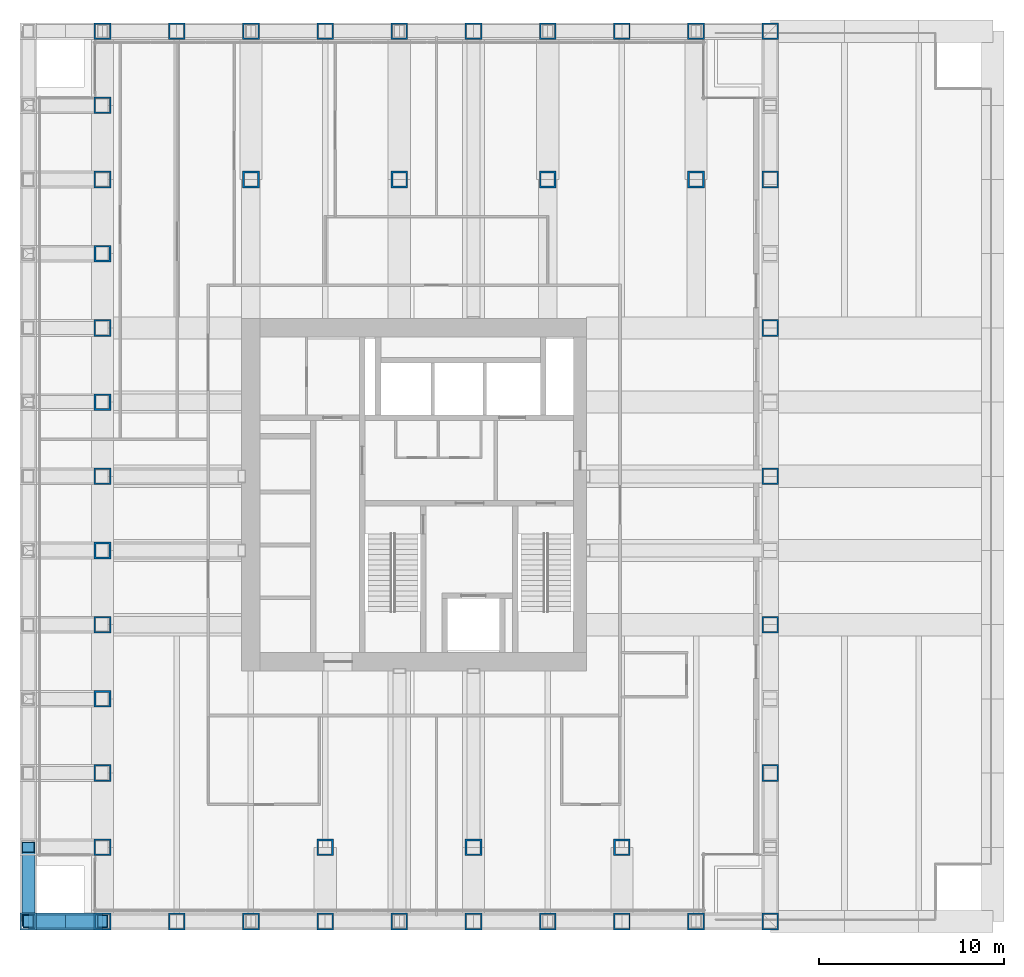
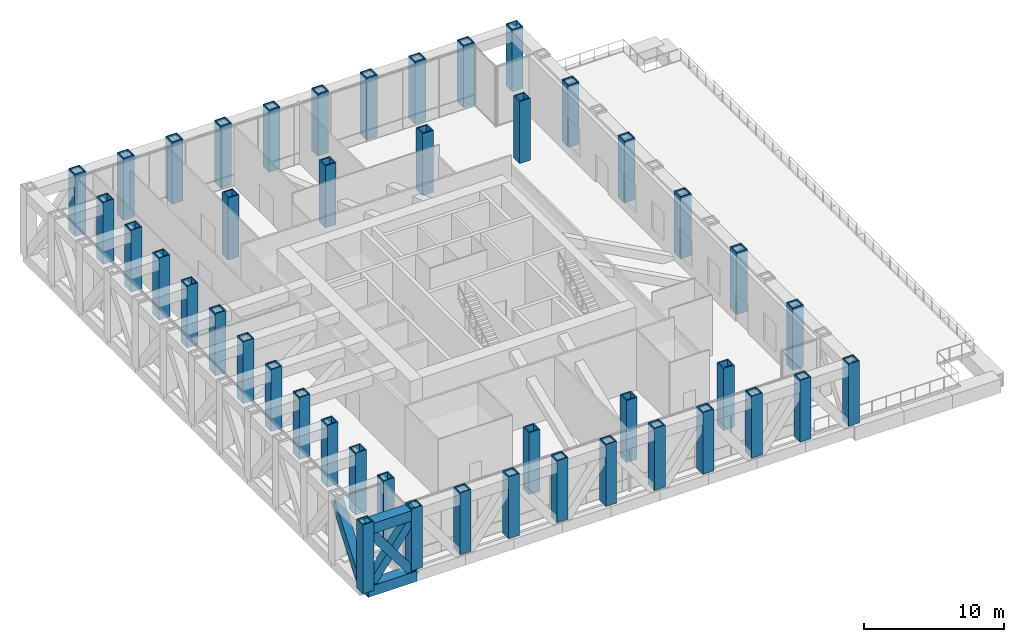
# One storey, part 1 of 13: 43 columns, 4 members, 2 beams.
"""IFC4 building model written with IfcOpenShell, lengths in metres."""

import ifcopenshell
import ifcopenshell.guid

model = None  # the IFC model being written
_history = None  # IfcOwnerHistory: only IFC2X3 demands one
_inside = {}  # id of a spatial element -> (the spatial element, [elements in it])
_under = {}  # id of a project, library or spatial element -> (it, [spatial elements below it])
_declared = {}  # id of a project -> (the project, [libraries it declares])
_typed = {}  # id of a type object -> (the type object, [elements of that type])
_made_of = {}  # id of a material, layer set ... -> (it, [elements and type objects made of it])


def new_model(schema):
    """Start an empty IFC model of exactly this schema.

    Asked for "IFC4X3", IfcOpenShell would pick the latest addendum, in which some entities
    have other attributes; the version numbers below select the first issue.
    IFC2X3 requires an IfcOwnerHistory on every rooted entity: one is made here for all.
    """
    global model, _history
    if schema == "IFC4X3":
        model = ifcopenshell.file(schema_version=(4, 3, 0, 0))
    else:
        model = ifcopenshell.file(schema=schema)
    _inside.clear()
    _under.clear()
    _declared.clear()
    _typed.clear()
    _made_of.clear()
    _history = None
    if model.schema == "IFC2X3":
        org = make("IfcOrganization", Name="unknown")
        user = make(
            "IfcPersonAndOrganization",
            ThePerson=make("IfcPerson", FamilyName="unknown"),
            TheOrganization=org,
        )
        app = make(
            "IfcApplication",
            ApplicationDeveloper=org,
            Version="unknown",
            ApplicationFullName="unknown",
            ApplicationIdentifier="unknown",
        )
        _history = make(
            "IfcOwnerHistory",
            OwningUser=user,
            OwningApplication=app,
            ChangeAction="ADDED",
            CreationDate=0,
        )
    return model


def make(cls, **values):
    """One entity of the class cls with the attributes given. An attribute that is None is left unset."""
    return model.create_entity(
        cls, **{name: value for name, value in values.items() if value is not None}
    )


def rooted(cls, **values):
    """An entity with a GlobalId (a new one), such as an element, a storey or a relation."""
    return make(cls, GlobalId=ifcopenshell.guid.new(), OwnerHistory=_history, **values)


def si_unit(unit_type, name, prefix=None):
    """IfcSIUnit, for example si_unit("LENGTHUNIT", "METRE", prefix="MILLI")."""
    return make("IfcSIUnit", UnitType=unit_type, Prefix=prefix, Name=name)


def assignment(units):
    """IfcUnitAssignment: the units of a project."""
    return None if units is None else make("IfcUnitAssignment", Units=units)


def point(xyz):
    """IfcCartesianPoint."""
    return None if xyz is None else make("IfcCartesianPoint", Coordinates=xyz)


def direction(xyz):
    """IfcDirection."""
    return None if xyz is None else make("IfcDirection", DirectionRatios=xyz)


def frame(location, z_axis=None, x_axis=None):
    """IfcAxis2Placement3D, a coordinate frame: its origin and axes. An axis left out is left unset."""
    return make(
        "IfcAxis2Placement3D",
        Location=point(location),
        Axis=direction(z_axis),
        RefDirection=direction(x_axis),
    )


def frame_2d(location, x_axis=None):
    """IfcAxis2Placement2D, a coordinate frame in the plane: its origin and x axis."""
    return make(
        "IfcAxis2Placement2D", Location=point(location), RefDirection=direction(x_axis)
    )


def origin():
    """The frame at (0, 0, 0) with its axes left unset."""
    return frame((0.0, 0.0, 0.0))


def origin_2d():
    """The frame at (0, 0) in the plane with its x axis left unset."""
    return frame_2d((0.0, 0.0))


def place(relative_to, where):
    """IfcLocalPlacement: puts the frame where relative to a parent placement (None: the world)."""
    return make(
        "IfcLocalPlacement", PlacementRelTo=relative_to, RelativePlacement=where
    )


def context(
    kind, dimensions, precision=None, world=None, true_north=None, identifier=None
):
    """IfcGeometricRepresentationContext, for example the 3D "Model" context."""
    return make(
        "IfcGeometricRepresentationContext",
        ContextIdentifier=identifier,
        ContextType=kind,
        CoordinateSpaceDimension=dimensions,
        Precision=precision,
        WorldCoordinateSystem=world,
        TrueNorth=true_north,
    )


def subcontext(parent, identifier, kind, view, scale=None):
    """IfcGeometricRepresentationSubContext, for example "Body" below "Model"."""
    return make(
        "IfcGeometricRepresentationSubContext",
        ContextIdentifier=identifier,
        ContextType=kind,
        ParentContext=parent,
        TargetScale=scale,
        TargetView=view,
    )


def project(units=None, contexts=None):
    """IfcProject with its units and contexts."""
    return rooted(
        "IfcProject",
        Name="project",
        RepresentationContexts=contexts,
        UnitsInContext=assignment(units),
    )


def spatial(cls, under=None, at=None, **own):
    """A site, building, storey or space (cls), placed at a placement, below another one or the project."""
    s = rooted(cls, ObjectPlacement=at, **own)
    if under is not None:
        _under.setdefault(under.id(), (under, []))[1].append(s)
    return s


def profile(cls, at=None, kind="AREA", **sizes):
    """A parametric profile (cls). Its sizes go by their IFC names, for example OverallWidth=200.0."""
    return make(cls, ProfileType=kind, Position=at, **sizes)


def hollow_rectangle(**sizes):
    """IfcRectangleHollowProfileDef."""
    return profile("IfcRectangleHollowProfileDef", **sizes)


def extrude(swept, where, along, depth):
    """IfcExtrudedAreaSolid: the profile swept, set in the frame where, extruded along a direction by depth."""
    return make(
        "IfcExtrudedAreaSolid",
        SweptArea=swept,
        Position=where,
        ExtrudedDirection=direction(along),
        Depth=depth,
    )


def shape(context_of_items, identifier, shape_type, items):
    """IfcShapeRepresentation: the items that make up one representation, for example the "Body"."""
    return make(
        "IfcShapeRepresentation",
        ContextOfItems=context_of_items,
        RepresentationIdentifier=identifier,
        RepresentationType=shape_type,
        Items=items,
    )


def material(Name=None, Category=None):
    """IfcMaterial."""
    return make("IfcMaterial", Name=Name, Category=Category)


def material_profile(
    of_material, cross_section, Name=None, Category=None, Priority=None
):
    """IfcMaterialProfile: a cross section and its material."""
    return make(
        "IfcMaterialProfile",
        Name=Name,
        Material=of_material,
        Profile=cross_section,
        Priority=Priority,
        Category=Category,
    )


def profile_set(profiles, Name=None, composite=None):
    """IfcMaterialProfileSet."""
    return make(
        "IfcMaterialProfileSet",
        Name=Name,
        MaterialProfiles=profiles,
        CompositeProfile=composite,
    )


def made_of(thing, what):
    """Note that an element or type object is made of a material, layer set ...; save() writes the relation."""
    if what is not None:
        _made_of.setdefault(what.id(), (what, []))[1].append(thing)
    return thing


def type_object(cls, material=None, **own):
    """A type object (cls), such as IfcWallType, which elements share."""
    return made_of(rooted(cls, **own), material)


def element(
    cls,
    number,
    at=None,
    inside=None,
    cuts=None,
    type_object=None,
    material=None,
    context=None,
    identifier="Body",
    shape_type=None,
    held_by="IfcProductDefinitionShape",
    body=None,
    shapes=None,
    **own,
):
    """One element of the class cls, such as IfcWall. Its Tag is "e" and its number.

    at: its placement. inside: the storey or other place that contains it. cuts: it is an
    opening in that element (IfcRelVoidsElement). A single representation is given by context,
    identifier, shape_type and body (its items); several are given by shapes. held_by: the class
    of the entity that holds the representations. save() writes the other relations.
    """
    e = rooted(cls, Tag="e%d" % number, ObjectPlacement=at, **own)
    if body is not None:
        shapes = [shape(context, identifier, shape_type, body)]
    if shapes is not None:
        e.Representation = make(held_by, Representations=shapes)
    if inside is not None:
        _inside.setdefault(inside.id(), (inside, []))[1].append(e)
    if cuts is not None:
        rooted(
            "IfcRelVoidsElement", RelatingBuildingElement=cuts, RelatedOpeningElement=e
        )
    if type_object is not None:
        _typed.setdefault(type_object.id(), (type_object, []))[1].append(e)
    return made_of(e, material)


def aggregate(whole, parts):
    """IfcRelAggregates: a whole, such as a stair, and the parts it consists of."""
    return rooted("IfcRelAggregates", RelatingObject=whole, RelatedObjects=parts)


def save(model, path):
    """Write the relations noted so far, then the file.

    IfcRelAggregates (storeys below a building ...), IfcRelContainedInSpatialStructure (elements
    in a storey), IfcRelDefinesByType, IfcRelAssociatesMaterial and IfcRelDeclares: one each for
    every whole, place, type object, material and project.
    """
    for whole, parts in _under.values():
        aggregate(whole, parts)
    for where, things in _inside.values():
        rooted(
            "IfcRelContainedInSpatialStructure",
            RelatedElements=things,
            RelatingStructure=where,
        )
    for kind, things in _typed.values():
        rooted("IfcRelDefinesByType", RelatedObjects=things, RelatingType=kind)
    for what, things in _made_of.values():
        rooted("IfcRelAssociatesMaterial", RelatedObjects=things, RelatingMaterial=what)
    for by, libraries in _declared.values():
        rooted("IfcRelDeclares", RelatingContext=by, RelatedDefinitions=libraries)
    model.write(path)


model = new_model("IFC4")

# Units and contexts
model_context = context("Model", 3, precision=1e-05, world=origin(), true_north=direction((0.0, 1.0)))
body_context = subcontext(model_context, "Body", "Model", "MODEL_VIEW")
ifc_project = project(units=[si_unit("LENGTHUNIT", "METRE"), si_unit("AREAUNIT", "SQUARE_METRE"), si_unit("VOLUMEUNIT", "CUBIC_METRE"), si_unit("PLANEANGLEUNIT", "RADIAN"), si_unit("MASSUNIT", "GRAM", prefix="KILO")], contexts=[model_context])

# Site, building, storey
site_placement = place(None, origin())
site = spatial("IfcSite", under=ifc_project, at=site_placement, CompositionType="ELEMENT")
building_placement = place(site_placement, origin())
building = spatial("IfcBuilding", under=site, at=building_placement, Name="Rimbunsela Tower", CompositionType="ELEMENT")
storey_placement = place(building_placement, frame((0.0, 0.0, 137.39990234375)))
storey = spatial("IfcBuildingStorey", under=building, at=storey_placement, Name="L33", CompositionType="ELEMENT", Elevation=137.39990234375)

# Columns
ifc_material_1 = material(Name="Steel BJ 55 (fy 410 MPa)", Category="steel")
ifc_material_profile_1 = material_profile(ifc_material_1, hollow_rectangle(XDim=0.89990234375, YDim=0.89990234375, WallThickness=0.10009765625, at=origin_2d()), Name="BOX 900x900x100")
ifc_profile_set_1 = profile_set([ifc_material_profile_1], Name="Steel BJ 55 (fy 410 MPa)")
column_type_1 = type_object("IfcColumnType", Name="Column BOX 900x900x100", PredefinedType="COLUMN", material=ifc_profile_set_1)
for number, where, z_axis, x_axis, name in (
    (1, (10.0, 16.0, 0.0), (0.0, 0.0, 1.0), (1.0, 0.0, 0.0), "Column C5 5/F L33"),
    (2, (10.0, 24.0, 0.0), (0.0, 0.0, 1.0), (1.0, 0.0, 0.0), "Column C5 5/H L33"),
    (3, (10.0, 32.0, 0.0), (0.0, 0.0, 1.0), (1.0, 0.0, 0.0), "Column C5 5/K L33"),
    (4, (10.0, 40.0, 0.0), (0.0, 0.0, 1.0), (1.0, 0.0, 0.0), "Column C5 5/M L33"),
    (5, (18.0, 44.0, 0.0), (0.0, 0.0, 1.0), (1.0, 0.0, 0.0), "Column C5 7/N L33"),
    (6, (22.0, 8.0, 0.0), (0.0, 0.0, 1.0), (1.0, 0.0, 0.0), "Column C5 8/D L33"),
    (7, (26.0, 44.0, 0.0), (0.0, 0.0, 1.0), (1.0, 0.0, 0.0), "Column C5 9/N L33"),
    (8, (30.0, 8.0, 0.0), (0.0, 0.0, 1.0), (1.0, 0.0, 0.0), "Column C5 10/D L33"),
    (9, (34.0, 44.0, 0.0), (0.0, 0.0, 1.0), (1.0, 0.0, 0.0), "Column C5 11/N L33"),
    (10, (38.0, 8.0, 0.0), (0.0, 0.0, 1.0), (1.0, 0.0, 0.0), "Column C5 12/D L33"),
    (11, (42.0, 44.0, 0.0), (0.0, 0.0, 1.0), (1.0, 0.0, 0.0), "Column C5 13/N L33"),
):
    element("IfcColumn", number, at=place(storey_placement, frame(where, z_axis=z_axis, x_axis=x_axis)), inside=storey, type_object=column_type_1, Name=name, PredefinedType="COLUMN", context=body_context, shape_type="SweptSolid", body=[
        extrude(hollow_rectangle(XDim=0.89990234375, YDim=0.89990234375, WallThickness=0.10009765625, at=origin_2d()), origin(), (0.0, 0.0, 1.0), 5.400146484375),
    ])
ifc_material_2 = material(Name="Steel BJ 55 (fy 410 MPa)", Category="steel")
ifc_material_profile_2 = material_profile(ifc_material_2, hollow_rectangle(XDim=0.89990234375, YDim=0.89990234375, WallThickness=0.080078125, at=origin_2d()), Name="BOX 900x900x80")
ifc_profile_set_2 = profile_set([ifc_material_profile_2], Name="Steel BJ 55 (fy 410 MPa)")
column_type_2 = type_object("IfcColumnType", Name="Truss column BOX 900x900x80", PredefinedType="USERDEFINED", material=ifc_profile_set_2)
for number, where, z_axis, x_axis, name in (
    (12, (10.0, 4.0, 0.0), (0.0, 0.0, 1.0), (1.0, 0.0, 0.0), "Truss column TV3 5/C L33"),
    (13, (10.0, 52.0, 0.0), (0.0, 0.0, 1.0), (1.0, 0.0, 0.0), "Truss column TV3 5/Q L33"),
    (14, (14.0, 4.0, 0.0), (0.0, 0.0, 1.0), (1.0, 0.0, 0.0), "Truss column TV3 6/C L33"),
    (15, (14.0, 52.0, 0.0), (0.0, 0.0, 1.0), (1.0, 0.0, 0.0), "Truss column TV3 6/Q L33"),
    (16, (18.0, 4.0, 0.0), (0.0, 0.0, 1.0), (1.0, 0.0, 0.0), "Truss column TV3 7/C L33"),
    (17, (18.0, 52.0, 0.0), (0.0, 0.0, 1.0), (1.0, 0.0, 0.0), "Truss column TV3 7/Q L33"),
    (18, (22.0, 4.0, 0.0), (0.0, 0.0, 1.0), (1.0, 0.0, 0.0), "Truss column TV3 8/C L33"),
    (19, (22.0, 52.0, 0.0), (0.0, 0.0, 1.0), (1.0, 0.0, 0.0), "Truss column TV3 8/Q L33"),
    (20, (26.0, 4.0, 0.0), (0.0, 0.0, 1.0), (1.0, 0.0, 0.0), "Truss column TV3 9/C L33"),
    (21, (26.0, 52.0, 0.0), (0.0, 0.0, 1.0), (1.0, 0.0, 0.0), "Truss column TV3 9/Q L33"),
    (22, (30.0, 4.0, 0.0), (0.0, 0.0, 1.0), (1.0, 0.0, 0.0), "Truss column TV3 10/C L33"),
    (23, (30.0, 52.0, 0.0), (0.0, 0.0, 1.0), (1.0, 0.0, 0.0), "Truss column TV3 10/Q L33"),
    (24, (34.0, 4.0, 0.0), (0.0, 0.0, 1.0), (1.0, 0.0, 0.0), "Truss column TV3 11/C L33"),
    (25, (34.0, 52.0, 0.0), (0.0, 0.0, 1.0), (1.0, 0.0, 0.0), "Truss column TV3 11/Q L33"),
    (26, (38.0, 4.0, 0.0), (0.0, 0.0, 1.0), (1.0, 0.0, 0.0), "Truss column TV3 12/C L33"),
    (27, (38.0, 52.0, 0.0), (0.0, 0.0, 1.0), (1.0, 0.0, 0.0), "Truss column TV3 12/Q L33"),
    (28, (42.0, 4.0, 0.0), (0.0, 0.0, 1.0), (1.0, 0.0, 0.0), "Truss column TV3 13/C L33"),
    (29, (42.0, 52.0, 0.0), (0.0, 0.0, 1.0), (1.0, 0.0, 0.0), "Truss column TV3 13/Q L33"),
    (30, (46.0, 4.0, 0.0), (0.0, 0.0, 1.0), (1.0, 0.0, 0.0), "Truss column TV3 14/C L33"),
    (31, (46.0, 12.0, 0.0), (0.0, 0.0, 1.0), (1.0, 0.0, 0.0), "Truss column TV3 14/E L33"),
    (32, (46.0, 20.0, 0.0), (0.0, 0.0, 1.0), (1.0, 0.0, 0.0), "Truss column TV3 14/G L33"),
    (33, (46.0, 28.0, 0.0), (0.0, 0.0, 1.0), (1.0, 0.0, 0.0), "Truss column TV3 14/J L33"),
    (34, (46.0, 36.0, 0.0), (0.0, 0.0, 1.0), (1.0, 0.0, 0.0), "Truss column TV3 14/L L33"),
    (35, (46.0, 44.0, 0.0), (0.0, 0.0, 1.0), (1.0, 0.0, 0.0), "Truss column TV3 14/N L33"),
    (36, (46.0, 52.0, 0.0), (0.0, 0.0, 1.0), (1.0, 0.0, 0.0), "Truss column TV3 14/Q L33"),
    (37, (10.0, 8.0, 0.0), (0.0, 0.0, 1.0), (1.0, 0.0, 0.0), "Truss column TV3 5/D L33"),
    (38, (10.0, 12.0, 0.0), (0.0, 0.0, 1.0), (1.0, 0.0, 0.0), "Truss column TV3 5/E L33"),
    (39, (10.0, 20.0, 0.0), (0.0, 0.0, 1.0), (1.0, 0.0, 0.0), "Truss column TV3 5/G L33"),
    (40, (10.0, 28.0, 0.0), (0.0, 0.0, 1.0), (1.0, 0.0, 0.0), "Truss column TV3 5/J L33"),
    (41, (10.0, 36.0, 0.0), (0.0, 0.0, 1.0), (1.0, 0.0, 0.0), "Truss column TV3 5/L L33"),
    (42, (10.0, 44.0, 0.0), (0.0, 0.0, 1.0), (1.0, 0.0, 0.0), "Truss column TV3 5/N L33"),
    (43, (10.0, 48.0, 0.0), (0.0, 0.0, 1.0), (1.0, 0.0, 0.0), "Truss column TV3 5/P L33"),
):
    element("IfcColumn", number, at=place(storey_placement, frame(where, z_axis=z_axis, x_axis=x_axis)), inside=storey, type_object=column_type_2, Name=name, ObjectType="TRUSS POST", PredefinedType="USERDEFINED", context=body_context, shape_type="SweptSolid", body=[
        extrude(hollow_rectangle(XDim=0.89990234375, YDim=0.89990234375, WallThickness=0.080078125, at=origin_2d()), origin(), (0.0, 0.0, 1.0), 5.400146484375),
    ])

# Beams
ifc_material_3 = material(Name="Steel BJ 55 (fy 410 MPa)", Category="steel")
ifc_material_profile_3 = material_profile(ifc_material_3, hollow_rectangle(XDim=0.89990234375, YDim=0.89990234375, WallThickness=0.080078125, at=origin_2d()), Name="BOX 900x900x80")
ifc_profile_set_3 = profile_set([ifc_material_profile_3], Name="Steel BJ 55 (fy 410 MPa)")
beam_type = type_object("IfcBeamType", Name="Truss chord BOX 900x900x80", PredefinedType="USERDEFINED", material=ifc_profile_set_3)
for number, where, z_axis, x_axis, name in (
    (44, (6.0, 4.0, 4.800048828125), (1.0, 0.0, 0.0), (0.0, 1.0, 0.0), "Truss top chord TC3 S face L33"),
    (45, (6.0, 4.0, -0.599853515625), (1.0, 0.0, 0.0), (0.0, 1.0, 0.0), "Truss bottom chord TC3 S face L33"),
):
    element("IfcBeam", number, at=place(storey_placement, frame(where, z_axis=z_axis, x_axis=x_axis)), inside=storey, type_object=beam_type, Name=name, ObjectType="TRUSS CHORD", PredefinedType="USERDEFINED", context=body_context, shape_type="SweptSolid", body=[
        extrude(hollow_rectangle(XDim=0.89990234375, YDim=0.89990234375, WallThickness=0.080078125, at=origin_2d()), origin(), (0.0, 0.0, 1.0), 4.0),
    ])

# Members
ifc_material_4 = material(Name="Steel BJ 55 (fy 410 MPa)", Category="steel")
ifc_material_profile_4 = material_profile(ifc_material_4, hollow_rectangle(XDim=0.699951171875, YDim=0.699951171875, WallThickness=0.0400390625, at=origin_2d()), Name="BOX 700x700x40")
ifc_profile_set_4 = profile_set([ifc_material_profile_4], Name="Steel BJ 55 (fy 410 MPa)")
member_type_1 = type_object("IfcMemberType", Name="Truss diagonal BOX 700x700x40", PredefinedType="BRACE", material=ifc_profile_set_4)
for number, where, z_axis, x_axis, name in (
    (46, (6.0, 4.0, -0.599853515625), (0.595234501294, 0.0, 0.803552044655), (0.0, 1.0, 0.0), "Truss diagonal TD3 S face L33"),
    (47, (6.0, 4.0, -0.599853515625), (0.0, 0.595234501294, 0.803552044655), (-1.0, 0.0, 0.0), "Truss diagonal TD3 W face L33"),
    (48, (10.0, 4.0, -0.599853515625), (-0.595234501294, 0.0, 0.803552044655), (0.0, -1.0, 0.0), "Cantilever truss diagonal TD3 4/C L33"),
):
    element("IfcMember", number, at=place(storey_placement, frame(where, z_axis=z_axis, x_axis=x_axis)), inside=storey, type_object=member_type_1, Name=name, PredefinedType="BRACE", context=body_context, shape_type="SweptSolid", body=[
        extrude(hollow_rectangle(XDim=0.699951171875, YDim=0.699951171875, WallThickness=0.0400390625, at=origin_2d()), origin(), (0.0, 0.0, 1.0), 6.719970703125),
    ])
ifc_material_5 = material(Name="Steel BJ 55 (fy 410 MPa)", Category="steel")
ifc_material_profile_5 = material_profile(ifc_material_5, hollow_rectangle(XDim=0.89990234375, YDim=0.89990234375, WallThickness=0.080078125, at=origin_2d()), Name="BOX 900x900x80")
ifc_profile_set_5 = profile_set([ifc_material_profile_5], Name="Steel BJ 55 (fy 410 MPa)")
member_type_2 = type_object("IfcMemberType", Name="Truss post BOX 900x900x80", PredefinedType="POST", material=ifc_profile_set_5)
member_placement = place(storey_placement, frame((6.0, 4.0, -0.599853515625), z_axis=(0.0, 0.0, 1.0), x_axis=(1.0, 0.0, 0.0)))
element("IfcMember", 49, at=member_placement, inside=storey, type_object=member_type_2, Name="Truss post TP3 4/C L33", PredefinedType="POST", context=body_context, shape_type="SweptSolid", body=[
    extrude(hollow_rectangle(XDim=0.89990234375, YDim=0.89990234375, WallThickness=0.080078125, at=origin_2d()), origin(), (0.0, 0.0, 1.0), 6.0),
])

save(model, "model.ifc")
